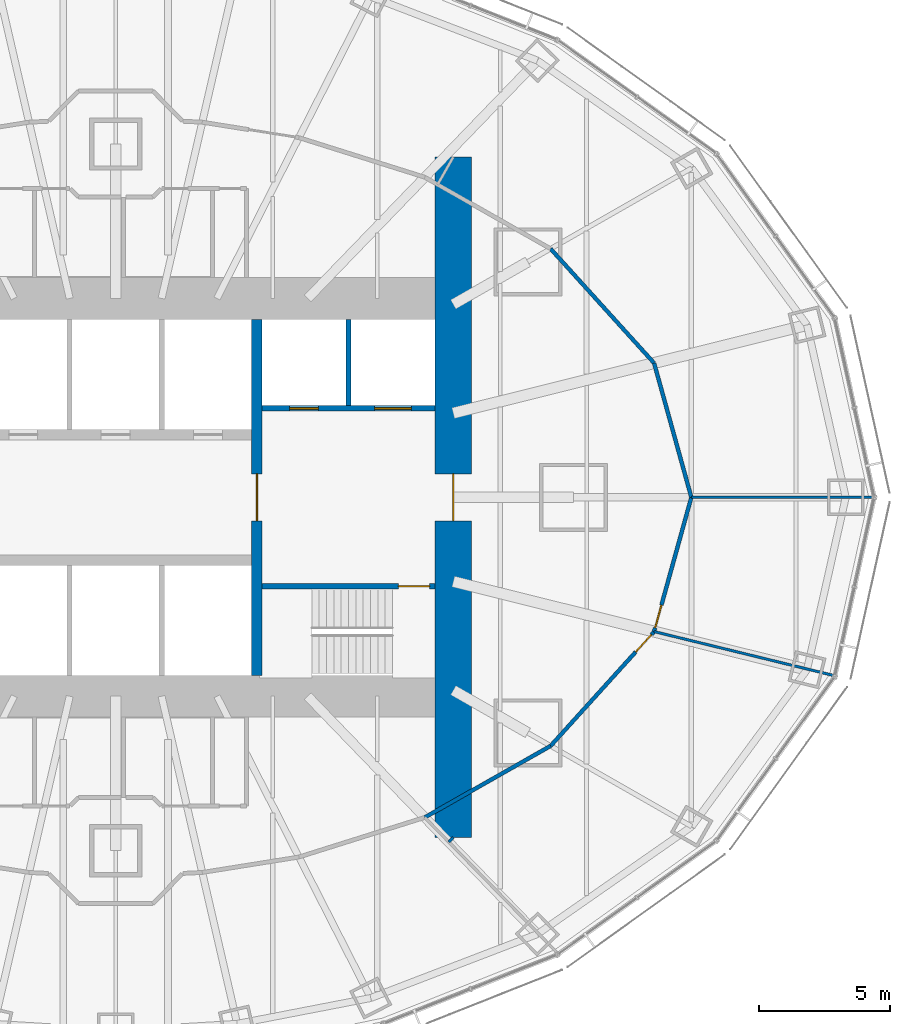
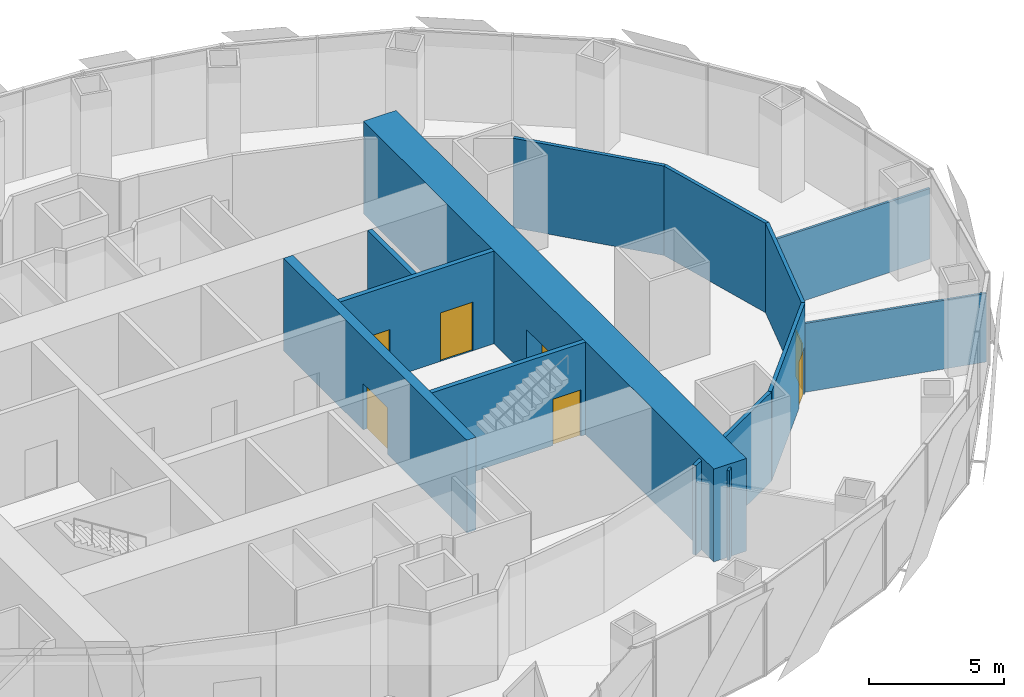
# One storey, part 12 of 17: 13 walls, 7 doors, 7 openings.
"""IFC4 building model written with IfcOpenShell, lengths in metres."""

import ifcopenshell
import ifcopenshell.guid

model = None  # the IFC model being written
_history = None  # IfcOwnerHistory: only IFC2X3 demands one
_inside = {}  # id of a spatial element -> (the spatial element, [elements in it])
_under = {}  # id of a project, library or spatial element -> (it, [spatial elements below it])
_declared = {}  # id of a project -> (the project, [libraries it declares])
_typed = {}  # id of a type object -> (the type object, [elements of that type])
_made_of = {}  # id of a material, layer set ... -> (it, [elements and type objects made of it])


def new_model(schema):
    """Start an empty IFC model of exactly this schema.

    Asked for "IFC4X3", IfcOpenShell would pick the latest addendum, in which some entities
    have other attributes; the version numbers below select the first issue.
    IFC2X3 requires an IfcOwnerHistory on every rooted entity: one is made here for all.
    """
    global model, _history
    if schema == "IFC4X3":
        model = ifcopenshell.file(schema_version=(4, 3, 0, 0))
    else:
        model = ifcopenshell.file(schema=schema)
    _inside.clear()
    _under.clear()
    _declared.clear()
    _typed.clear()
    _made_of.clear()
    _history = None
    if model.schema == "IFC2X3":
        org = make("IfcOrganization", Name="unknown")
        user = make(
            "IfcPersonAndOrganization",
            ThePerson=make("IfcPerson", FamilyName="unknown"),
            TheOrganization=org,
        )
        app = make(
            "IfcApplication",
            ApplicationDeveloper=org,
            Version="unknown",
            ApplicationFullName="unknown",
            ApplicationIdentifier="unknown",
        )
        _history = make(
            "IfcOwnerHistory",
            OwningUser=user,
            OwningApplication=app,
            ChangeAction="ADDED",
            CreationDate=0,
        )
    return model


def make(cls, **values):
    """One entity of the class cls with the attributes given. An attribute that is None is left unset."""
    return model.create_entity(
        cls, **{name: value for name, value in values.items() if value is not None}
    )


def rooted(cls, **values):
    """An entity with a GlobalId (a new one), such as an element, a storey or a relation."""
    return make(cls, GlobalId=ifcopenshell.guid.new(), OwnerHistory=_history, **values)


def si_unit(unit_type, name, prefix=None):
    """IfcSIUnit, for example si_unit("LENGTHUNIT", "METRE", prefix="MILLI")."""
    return make("IfcSIUnit", UnitType=unit_type, Prefix=prefix, Name=name)


def assignment(units):
    """IfcUnitAssignment: the units of a project."""
    return None if units is None else make("IfcUnitAssignment", Units=units)


def point(xyz):
    """IfcCartesianPoint."""
    return None if xyz is None else make("IfcCartesianPoint", Coordinates=xyz)


def direction(xyz):
    """IfcDirection."""
    return None if xyz is None else make("IfcDirection", DirectionRatios=xyz)


def frame(location, z_axis=None, x_axis=None):
    """IfcAxis2Placement3D, a coordinate frame: its origin and axes. An axis left out is left unset."""
    return make(
        "IfcAxis2Placement3D",
        Location=point(location),
        Axis=direction(z_axis),
        RefDirection=direction(x_axis),
    )


def frame_2d(location, x_axis=None):
    """IfcAxis2Placement2D, a coordinate frame in the plane: its origin and x axis."""
    return make(
        "IfcAxis2Placement2D", Location=point(location), RefDirection=direction(x_axis)
    )


def origin():
    """The frame at (0, 0, 0) with its axes left unset."""
    return frame((0.0, 0.0, 0.0))


def place(relative_to, where):
    """IfcLocalPlacement: puts the frame where relative to a parent placement (None: the world)."""
    return make(
        "IfcLocalPlacement", PlacementRelTo=relative_to, RelativePlacement=where
    )


def context(
    kind, dimensions, precision=None, world=None, true_north=None, identifier=None
):
    """IfcGeometricRepresentationContext, for example the 3D "Model" context."""
    return make(
        "IfcGeometricRepresentationContext",
        ContextIdentifier=identifier,
        ContextType=kind,
        CoordinateSpaceDimension=dimensions,
        Precision=precision,
        WorldCoordinateSystem=world,
        TrueNorth=true_north,
    )


def subcontext(parent, identifier, kind, view, scale=None):
    """IfcGeometricRepresentationSubContext, for example "Body" below "Model"."""
    return make(
        "IfcGeometricRepresentationSubContext",
        ContextIdentifier=identifier,
        ContextType=kind,
        ParentContext=parent,
        TargetScale=scale,
        TargetView=view,
    )


def project(units=None, contexts=None):
    """IfcProject with its units and contexts."""
    return rooted(
        "IfcProject",
        Name="project",
        RepresentationContexts=contexts,
        UnitsInContext=assignment(units),
    )


def spatial(cls, under=None, at=None, **own):
    """A site, building, storey or space (cls), placed at a placement, below another one or the project."""
    s = rooted(cls, ObjectPlacement=at, **own)
    if under is not None:
        _under.setdefault(under.id(), (under, []))[1].append(s)
    return s


def profile(cls, at=None, kind="AREA", **sizes):
    """A parametric profile (cls). Its sizes go by their IFC names, for example OverallWidth=200.0."""
    return make(cls, ProfileType=kind, Position=at, **sizes)


def rectangle(**sizes):
    """IfcRectangleProfileDef."""
    return profile("IfcRectangleProfileDef", **sizes)


def extrude(swept, where, along, depth):
    """IfcExtrudedAreaSolid: the profile swept, set in the frame where, extruded along a direction by depth."""
    return make(
        "IfcExtrudedAreaSolid",
        SweptArea=swept,
        Position=where,
        ExtrudedDirection=direction(along),
        Depth=depth,
    )


def shape(context_of_items, identifier, shape_type, items):
    """IfcShapeRepresentation: the items that make up one representation, for example the "Body"."""
    return make(
        "IfcShapeRepresentation",
        ContextOfItems=context_of_items,
        RepresentationIdentifier=identifier,
        RepresentationType=shape_type,
        Items=items,
    )


def material(Name=None, Category=None):
    """IfcMaterial."""
    return make("IfcMaterial", Name=Name, Category=Category)


def layer(
    of_material, thickness, ventilated=None, Name=None, Category=None, Priority=None
):
    """IfcMaterialLayer: one layer of a wall or slab, of a material (None: an air gap)."""
    return make(
        "IfcMaterialLayer",
        Material=of_material,
        LayerThickness=thickness,
        IsVentilated=ventilated,
        Name=Name,
        Category=Category,
        Priority=Priority,
    )


def layer_set(layers, Name=None):
    """IfcMaterialLayerSet."""
    return make("IfcMaterialLayerSet", MaterialLayers=layers, LayerSetName=Name)


def made_of(thing, what):
    """Note that an element or type object is made of a material, layer set ...; save() writes the relation."""
    if what is not None:
        _made_of.setdefault(what.id(), (what, []))[1].append(thing)
    return thing


def type_object(cls, material=None, **own):
    """A type object (cls), such as IfcWallType, which elements share."""
    return made_of(rooted(cls, **own), material)


def element(
    cls,
    number,
    at=None,
    inside=None,
    cuts=None,
    type_object=None,
    material=None,
    context=None,
    identifier="Body",
    shape_type=None,
    held_by="IfcProductDefinitionShape",
    body=None,
    shapes=None,
    **own,
):
    """One element of the class cls, such as IfcWall. Its Tag is "e" and its number.

    at: its placement. inside: the storey or other place that contains it. cuts: it is an
    opening in that element (IfcRelVoidsElement). A single representation is given by context,
    identifier, shape_type and body (its items); several are given by shapes. held_by: the class
    of the entity that holds the representations. save() writes the other relations.
    """
    e = rooted(cls, Tag="e%d" % number, ObjectPlacement=at, **own)
    if body is not None:
        shapes = [shape(context, identifier, shape_type, body)]
    if shapes is not None:
        e.Representation = make(held_by, Representations=shapes)
    if inside is not None:
        _inside.setdefault(inside.id(), (inside, []))[1].append(e)
    if cuts is not None:
        rooted(
            "IfcRelVoidsElement", RelatingBuildingElement=cuts, RelatedOpeningElement=e
        )
    if type_object is not None:
        _typed.setdefault(type_object.id(), (type_object, []))[1].append(e)
    return made_of(e, material)


def fill(opening, filler):
    """IfcRelFillsElement: the door or window that sits in an opening."""
    return rooted(
        "IfcRelFillsElement",
        RelatingOpeningElement=opening,
        RelatedBuildingElement=filler,
    )


def aggregate(whole, parts):
    """IfcRelAggregates: a whole, such as a stair, and the parts it consists of."""
    return rooted("IfcRelAggregates", RelatingObject=whole, RelatedObjects=parts)


def save(model, path):
    """Write the relations noted so far, then the file.

    IfcRelAggregates (storeys below a building ...), IfcRelContainedInSpatialStructure (elements
    in a storey), IfcRelDefinesByType, IfcRelAssociatesMaterial and IfcRelDeclares: one each for
    every whole, place, type object, material and project.
    """
    for whole, parts in _under.values():
        aggregate(whole, parts)
    for where, things in _inside.values():
        rooted(
            "IfcRelContainedInSpatialStructure",
            RelatedElements=things,
            RelatingStructure=where,
        )
    for kind, things in _typed.values():
        rooted("IfcRelDefinesByType", RelatedObjects=things, RelatingType=kind)
    for what, things in _made_of.values():
        rooted("IfcRelAssociatesMaterial", RelatedObjects=things, RelatingMaterial=what)
    for by, libraries in _declared.values():
        rooted("IfcRelDeclares", RelatingContext=by, RelatedDefinitions=libraries)
    model.write(path)


model = new_model("IFC4")

# Units and contexts
model_context = context("Model", 3, precision=1e-05, world=origin(), true_north=direction((0.0, 1.0)))
body_context = subcontext(model_context, "Body", "Model", "MODEL_VIEW")
ifc_project = project(units=[si_unit("LENGTHUNIT", "METRE"), si_unit("AREAUNIT", "SQUARE_METRE"), si_unit("VOLUMEUNIT", "CUBIC_METRE"), si_unit("PLANEANGLEUNIT", "RADIAN"), si_unit("MASSUNIT", "GRAM", prefix="KILO")], contexts=[model_context])

# Site, building, storey
site_placement = place(None, origin())
site = spatial("IfcSite", under=ifc_project, at=site_placement, CompositionType="ELEMENT")
building_placement = place(site_placement, origin())
building = spatial("IfcBuilding", under=site, at=building_placement, Name="Lantaw Convention Tower", CompositionType="ELEMENT")
storey_placement = place(building_placement, frame((0.0, 0.0, 125.800048828125)))
storey = spatial("IfcBuildingStorey", under=building, at=storey_placement, Name="L29", CompositionType="ELEMENT", Elevation=125.800048828125)

# Wall, opening, door
ifc_material_1 = material(Name="Concrete C60/75", Category="concrete")
ifc_layer_1 = layer(ifc_material_1, 1.39990234375)
ifc_layer_set_1 = layer_set([ifc_layer_1], Name="Core wall 1400")
wall_type_1 = type_object("IfcWallType", Name="Core wall 1400", PredefinedType="SHEAR", material=ifc_layer_set_1)
wall_1_placement = place(storey_placement, frame((12.89990234375, -13.0, 0.0), z_axis=(0.0, 0.0, 1.0), x_axis=(0.0, 1.0, 0.0)))
wall_1 = element("IfcWall", 1, at=wall_1_placement, inside=storey, type_object=wall_type_1, Name="Core wall E", PredefinedType="SHEAR", context=body_context, shape_type="SweptSolid", body=[
    extrude(rectangle(XDim=26.0, YDim=1.39990234375, at=frame_2d((13.0, 0.0))), origin(), (0.0, 0.0, 1.0), 4.199951171875),
])
opening_1_placement = place(wall_1_placement, frame((12.10009765625, 0.0, 0.0)))
opening_1 = element("IfcOpeningElement", 2, at=opening_1_placement, cuts=wall_1, Name="Opening L29.05", PredefinedType="OPENING", context=body_context, shape_type="SweptSolid", body=[
    extrude(rectangle(XDim=1.800048828125, YDim=2.10009765625, at=frame_2d((0.89990234375, 1.050048828125))), frame((0.0, 0.7099609375, 0.0), z_axis=(0.0, -1.0, 0.0), x_axis=(1.0, 0.0, 0.0)), (0.0, 0.0, 1.0), 1.419921875),
])
ifc_material_2 = material(Name="Steel, fire rated", Category="steel")
door_type_1 = type_object("IfcDoorType", Name="Lobby double door FD90", OperationType="DOUBLE_DOOR_DOUBLE_SWING", PredefinedType="DOOR", material=ifc_material_2)
door_1_placement = place(opening_1_placement, origin())
door_1 = element("IfcDoor", 3, at=door_1_placement, inside=storey, type_object=door_type_1, Name="Firefighting lobby door", OperationType="DOUBLE_DOOR_DOUBLE_SWING", OverallHeight=2.10009765625, OverallWidth=1.800048828125, PredefinedType="DOOR", context=body_context, shape_type="SweptSolid", body=[
    extrude(rectangle(XDim=1.800048828125, YDim=2.10009765625, at=frame_2d((0.89990234375, 1.050048828125))), frame((0.0, 0.02490234375, 0.0), z_axis=(0.0, -1.0, 0.0), x_axis=(1.0, 0.0, 0.0)), (0.0, 0.0, 1.0), 0.050048828125),
])
fill(opening_1, door_1)

ifc_layer_2 = layer(ifc_material_1, 0.199951171875)
ifc_layer_set_2 = layer_set([ifc_layer_2], Name="Core wall 200")
wall_type_2 = type_object("IfcWallType", Name="Core wall 200", PredefinedType="SHEAR", material=ifc_layer_set_2)
wall_2_placement = place(storey_placement, frame((5.60009765625, -3.39990234375, 0.0), z_axis=(0.0, 0.0, 1.0), x_axis=(1.0, 0.0, 0.0)))
wall_2 = element("IfcWall", 4, at=wall_2_placement, inside=storey, type_object=wall_type_2, Name="Core wall ES", PredefinedType="SHEAR", context=body_context, shape_type="SweptSolid", body=[
    extrude(rectangle(XDim=6.599853515625, YDim=0.199951171875, at=frame_2d((3.2998046875, 0.0))), origin(), (0.0, 0.0, 1.0), 4.199951171875),
])
opening_2_placement = place(wall_2_placement, frame((5.199951171875, 0.0, 0.0)))
opening_2 = element("IfcOpeningElement", 5, at=opening_2_placement, cuts=wall_2, Name="Opening L29.03", PredefinedType="OPENING", context=body_context, shape_type="SweptSolid", body=[
    extrude(rectangle(XDim=1.199951171875, YDim=2.10009765625, at=frame_2d((0.60009765625, 1.050048828125))), frame((0.0, 0.10986328125, 0.0), z_axis=(0.0, -1.0, 0.0), x_axis=(1.0, 0.0, 0.0)), (0.0, 0.0, 1.0), 0.219970703125),
])
door_type_2 = type_object("IfcDoorType", Name="Stair door FD90", OperationType="SINGLE_SWING_RIGHT", PredefinedType="DOOR", material=ifc_material_2)
door_2_placement = place(opening_2_placement, origin())
door_2 = element("IfcDoor", 6, at=door_2_placement, inside=storey, type_object=door_type_2, Name="Exit stair door", OperationType="SINGLE_SWING_RIGHT", OverallHeight=2.10009765625, OverallWidth=1.199951171875, PredefinedType="DOOR", context=body_context, shape_type="SweptSolid", body=[
    extrude(rectangle(XDim=1.199951171875, YDim=2.10009765625, at=frame_2d((0.60009765625, 1.050048828125))), frame((0.0, 0.02490234375, 0.0), z_axis=(0.0, -1.0, 0.0), x_axis=(1.0, 0.0, 0.0)), (0.0, 0.0, 1.0), 0.050048828125),
])
fill(opening_2, door_2)

ifc_layer_3 = layer(ifc_material_1, 0.39990234375)
ifc_layer_set_3 = layer_set([ifc_layer_3], Name="Core wall 400")
wall_type_3 = type_object("IfcWallType", Name="Core wall 400", PredefinedType="SHEAR", material=ifc_layer_set_3)
wall_3_placement = place(storey_placement, frame((5.39990234375, -6.800048828125, 0.0), z_axis=(0.0, 0.0, 1.0), x_axis=(0.0, 1.0, 0.0)))
wall_3 = element("IfcWall", 7, at=wall_3_placement, inside=storey, type_object=wall_type_3, Name="Core wall XE", PredefinedType="SHEAR", context=body_context, shape_type="SweptSolid", body=[
    extrude(rectangle(XDim=13.60009765625, YDim=0.39990234375, at=frame_2d((6.800048828125, 0.0))), origin(), (0.0, 0.0, 1.0), 4.199951171875),
])
opening_3_placement = place(wall_3_placement, frame((5.89990234375, 0.0, 0.0)))
opening_3 = element("IfcOpeningElement", 8, at=opening_3_placement, cuts=wall_3, Name="Opening L29.01", PredefinedType="OPENING", context=body_context, shape_type="SweptSolid", body=[
    extrude(rectangle(XDim=1.800048828125, YDim=2.10009765625, at=frame_2d((0.89990234375, 1.050048828125))), frame((0.0, 0.2099609375, 0.0), z_axis=(0.0, -1.0, 0.0), x_axis=(1.0, 0.0, 0.0)), (0.0, 0.0, 1.0), 0.419921875),
])
door_3_placement = place(opening_3_placement, origin())
door_3 = element("IfcDoor", 9, at=door_3_placement, inside=storey, type_object=door_type_1, Name="Lift lobby door", OperationType="DOUBLE_DOOR_DOUBLE_SWING", OverallHeight=2.10009765625, OverallWidth=1.800048828125, PredefinedType="DOOR", context=body_context, shape_type="SweptSolid", body=[
    extrude(rectangle(XDim=1.800048828125, YDim=2.10009765625, at=frame_2d((0.89990234375, 1.050048828125))), frame((0.0, 0.02490234375, 0.0), z_axis=(0.0, -1.0, 0.0), x_axis=(1.0, 0.0, 0.0)), (0.0, 0.0, 1.0), 0.050048828125),
])
fill(opening_3, door_3)

# Walls
ifc_material_3 = material(Name="Gypsum board on steel studs, fire rated", Category="steel")
ifc_layer_4 = layer(ifc_material_3, 0.14990234375)
ifc_layer_set_4 = layer_set([ifc_layer_4], Name="Corridor wall 150 EI 60")
wall_type_4 = type_object("IfcWallType", Name="Corridor wall 150 EI 60", PredefinedType="PARTITIONING", material=ifc_layer_set_4)
wall_4_placement = place(storey_placement, frame((22.0, 0.0, 0.0), z_axis=(0.0, 0.0, 1.0), x_axis=(-0.267293817428, 0.963615076244, 0.0)))
element("IfcWall", 10, at=wall_4_placement, inside=storey, type_object=wall_type_4, Name="Corridor wall 150", PredefinedType="PARTITIONING", context=body_context, shape_type="SweptSolid", body=[
    extrude(rectangle(XDim=5.323974609375, YDim=0.14990234375, at=frame_2d((2.662109375, 0.0))), origin(), (0.0, 0.0, 1.0), 4.050048828125),
])
wall_5_placement = place(storey_placement, frame((20.576904296875, 5.13037109375, 0.0), z_axis=(0.0, 0.0, 1.0), x_axis=(-0.671118353743, 0.741350224435, 0.0)))
element("IfcWall", 11, at=wall_5_placement, inside=storey, type_object=wall_type_4, Name="Corridor wall 150", PredefinedType="PARTITIONING", context=body_context, shape_type="SweptSolid", body=[
    extrude(rectangle(XDim=5.89208984375, YDim=0.14990234375, at=frame_2d((2.946044921875, 0.0))), origin(), (0.0, 0.0, 1.0), 4.050048828125),
])
wall_6_placement = place(storey_placement, frame((11.812744140625, -12.232421875, 0.0), z_axis=(0.0, 0.0, 1.0), x_axis=(0.869375991036, 0.494151177485, 0.0)))
element("IfcWall", 12, at=wall_6_placement, inside=storey, type_object=wall_type_4, Name="Corridor wall 150", PredefinedType="PARTITIONING", context=body_context, shape_type="SweptSolid", body=[
    extrude(rectangle(XDim=5.532470703125, YDim=0.14990234375, at=frame_2d((2.76611328125, 0.0))), origin(), (0.0, 0.0, 1.0), 4.050048828125),
])

# Wall, opening, door
wall_7_placement = place(storey_placement, frame((16.62255859375, -9.49853515625, 0.0), z_axis=(0.0, 0.0, 1.0), x_axis=(0.671118353743, 0.741350224435, 0.0)))
wall_7 = element("IfcWall", 13, at=wall_7_placement, inside=storey, type_object=wall_type_4, Name="Corridor wall 150", PredefinedType="PARTITIONING", context=body_context, shape_type="SweptSolid", body=[
    extrude(rectangle(XDim=5.89208984375, YDim=0.14990234375, at=frame_2d((2.946044921875, 0.0))), origin(), (0.0, 0.0, 1.0), 4.050048828125),
])
opening_4_placement = place(wall_7_placement, frame((4.84228515625, 0.0, 0.0)))
opening_4 = element("IfcOpeningElement", 14, at=opening_4_placement, cuts=wall_7, Name="Opening L29.28", PredefinedType="OPENING", context=body_context, shape_type="SweptSolid", body=[
    extrude(rectangle(XDim=0.89990234375, YDim=2.10009765625, at=frame_2d((0.449951171875, 1.050048828125))), frame((0.0, 0.0849609375, 0.0), z_axis=(0.0, -1.0, 0.0), x_axis=(1.0, 0.0, 0.0)), (0.0, 0.0, 1.0), 0.169921875),
])
door_type_3 = type_object("IfcDoorType", Name="Office door 900 FD30", OperationType="SINGLE_SWING_LEFT", PredefinedType="DOOR", material=ifc_material_2)
door_4_placement = place(opening_4_placement, origin())
door_4 = element("IfcDoor", 15, at=door_4_placement, inside=storey, type_object=door_type_3, Name="Training room door", OperationType="SINGLE_SWING_LEFT", OverallHeight=2.10009765625, OverallWidth=0.89990234375, PredefinedType="DOOR", context=body_context, shape_type="SweptSolid", body=[
    extrude(rectangle(XDim=0.89990234375, YDim=2.10009765625, at=frame_2d((0.449951171875, 1.050048828125))), frame((0.0, 0.02490234375, 0.0), z_axis=(0.0, -1.0, 0.0), x_axis=(1.0, 0.0, 0.0)), (0.0, 0.0, 1.0), 0.050048828125),
])
fill(opening_4, door_4)

wall_8_placement = place(storey_placement, frame((20.576904296875, -5.13037109375, 0.0), z_axis=(0.0, 0.0, 1.0), x_axis=(0.267293817428, 0.963615076244, 0.0)))
wall_8 = element("IfcWall", 16, at=wall_8_placement, inside=storey, type_object=wall_type_4, Name="Corridor wall 150", PredefinedType="PARTITIONING", context=body_context, shape_type="SweptSolid", body=[
    extrude(rectangle(XDim=5.323974609375, YDim=0.14990234375, at=frame_2d((2.662109375, 0.0))), origin(), (0.0, 0.0, 1.0), 4.050048828125),
])
opening_5_placement = place(wall_8_placement, frame((0.14990234375, 0.0, 0.0)))
opening_5 = element("IfcOpeningElement", 17, at=opening_5_placement, cuts=wall_8, Name="Opening L29.29", PredefinedType="OPENING", context=body_context, shape_type="SweptSolid", body=[
    extrude(rectangle(XDim=0.89990234375, YDim=2.10009765625, at=frame_2d((0.449951171875, 1.050048828125))), frame((0.0, 0.0849609375, 0.0), z_axis=(0.0, -1.0, 0.0), x_axis=(1.0, 0.0, 0.0)), (0.0, 0.0, 1.0), 0.169921875),
])
door_5_placement = place(opening_5_placement, origin())
door_5 = element("IfcDoor", 18, at=door_5_placement, inside=storey, type_object=door_type_3, Name="Nap room door", OperationType="SINGLE_SWING_LEFT", OverallHeight=2.10009765625, OverallWidth=0.89990234375, PredefinedType="DOOR", context=body_context, shape_type="SweptSolid", body=[
    extrude(rectangle(XDim=0.89990234375, YDim=2.10009765625, at=frame_2d((0.449951171875, 1.050048828125))), frame((0.0, 0.02490234375, 0.0), z_axis=(0.0, -1.0, 0.0), x_axis=(1.0, 0.0, 0.0)), (0.0, 0.0, 1.0), 0.050048828125),
])
fill(opening_5, door_5)

# Walls
ifc_material_4 = material(Name="Gypsum board on steel studs, acoustic", Category="steel")
ifc_layer_5 = layer(ifc_material_4, 0.10009765625)
ifc_layer_set_5 = layer_set([ifc_layer_5], Name="Office partition 100")
wall_type_5 = type_object("IfcWallType", Name="Office partition 100", PredefinedType="PARTITIONING", material=ifc_layer_set_5)
wall_9_placement = place(storey_placement, frame((28.944091796875, 0.0, 0.0), z_axis=(0.0, 0.0, 1.0), x_axis=(-1.0, 0.0, 0.0)))
element("IfcWall", 19, at=wall_9_placement, inside=storey, type_object=wall_type_5, Name="Office partition 100", PredefinedType="PARTITIONING", context=body_context, shape_type="SweptSolid", body=[
    extrude(rectangle(XDim=6.944091796875, YDim=0.10009765625, at=frame_2d((3.47216796875, 0.0))), origin(), (0.0, 0.0, 1.0), 3.2041015625),
])
wall_10_placement = place(storey_placement, frame((27.440673828125, -6.808837890625, 0.0), z_axis=(0.0, 0.0, 1.0), x_axis=(-0.971377572955, 0.237540755996, 0.0)))
element("IfcWall", 20, at=wall_10_placement, inside=storey, type_object=wall_type_5, Name="Office partition 100", PredefinedType="PARTITIONING", context=body_context, shape_type="SweptSolid", body=[
    extrude(rectangle(XDim=7.06591796875, YDim=0.10009765625, at=frame_2d((3.532958984375, 0.0))), origin(), (0.0, 0.0, 1.0), 3.11279296875),
])
wall_11_placement = place(storey_placement, frame((12.89990234375, -13.0, 0.0), z_axis=(0.0, 0.0, 1.0), x_axis=(-0.714690391061, -0.699440951707, 0.0)))
element("IfcWall", 21, at=wall_11_placement, inside=storey, type_object=wall_type_5, Name="Office partition 100", PredefinedType="PARTITIONING", context=body_context, shape_type="SweptSolid", body=[
    extrude(rectangle(XDim=0.240234375, YDim=0.10009765625, at=frame_2d((0.1201171875, 0.0))), origin(), (0.0, 0.0, 1.0), 4.050048828125),
])

# Wall, openings, doors
ifc_material_5 = material(Name="Concrete blockwork, fire rated", Category="masonry")
ifc_layer_6 = layer(ifc_material_5, 0.199951171875)
ifc_layer_set_6 = layer_set([ifc_layer_6], Name="Shaft wall 200")
wall_type_6 = type_object("IfcWallType", Name="Shaft wall 200", PredefinedType="SOLIDWALL", material=ifc_layer_set_6)
wall_12_placement = place(storey_placement, frame((12.199951171875, 3.39990234375, 0.0), z_axis=(0.0, 0.0, 1.0), x_axis=(-1.0, 0.0, 0.0)))
wall_12 = element("IfcWall", 22, at=wall_12_placement, inside=storey, type_object=wall_type_6, Name="Shaft wall EN", PredefinedType="SOLIDWALL", context=body_context, shape_type="SweptSolid", body=[
    extrude(rectangle(XDim=6.599853515625, YDim=0.199951171875, at=frame_2d((3.2998046875, 0.0))), origin(), (0.0, 0.0, 1.0), 4.199951171875),
])
opening_6_placement = place(wall_12_placement, frame((4.449951171875, 0.0, 0.0)))
opening_6 = element("IfcOpeningElement", 23, at=opening_6_placement, cuts=wall_12, Name="Opening L29.12", PredefinedType="OPENING", context=body_context, shape_type="SweptSolid", body=[
    extrude(rectangle(XDim=1.10009765625, YDim=2.199951171875, at=frame_2d((0.550048828125, 1.10009765625))), frame((0.0, 0.10986328125, 0.0), z_axis=(0.0, -1.0, 0.0), x_axis=(1.0, 0.0, 0.0)), (0.0, 0.0, 1.0), 0.219970703125),
])
opening_7_placement = place(wall_12_placement, frame((0.89990234375, 0.0, 0.0)))
opening_7 = element("IfcOpeningElement", 24, at=opening_7_placement, cuts=wall_12, Name="Opening L29.13", PredefinedType="OPENING", context=body_context, shape_type="SweptSolid", body=[
    extrude(rectangle(XDim=1.39990234375, YDim=2.199951171875, at=frame_2d((0.699951171875, 1.10009765625))), frame((0.0, 0.10986328125, 0.0), z_axis=(0.0, -1.0, 0.0), x_axis=(1.0, 0.0, 0.0)), (0.0, 0.0, 1.0), 0.219970703125),
])
ifc_material_6 = material(Name="Stainless steel", Category="steel")
door_type_4 = type_object("IfcDoorType", Name="Lift landing door 1100", OperationType="DOUBLE_DOOR_SLIDING", PredefinedType="DOOR", material=ifc_material_6)
door_6_placement = place(opening_6_placement, origin())
door_6 = element("IfcDoor", 25, at=door_6_placement, inside=storey, type_object=door_type_4, Name="Lift landing door FF2", OperationType="DOUBLE_DOOR_SLIDING", OverallHeight=2.199951171875, OverallWidth=1.10009765625, PredefinedType="DOOR", context=body_context, shape_type="SweptSolid", body=[
    extrude(rectangle(XDim=1.10009765625, YDim=2.199951171875, at=frame_2d((0.550048828125, 1.10009765625))), frame((0.0, 0.02490234375, 0.0), z_axis=(0.0, -1.0, 0.0), x_axis=(1.0, 0.0, 0.0)), (0.0, 0.0, 1.0), 0.050048828125),
])
fill(opening_6, door_6)
door_type_5 = type_object("IfcDoorType", Name="Lift landing door 1400", OperationType="DOUBLE_DOOR_SLIDING", PredefinedType="DOOR", material=ifc_material_6)
door_7_placement = place(opening_7_placement, origin())
door_7 = element("IfcDoor", 26, at=door_7_placement, inside=storey, type_object=door_type_5, Name="Lift landing door SV2", OperationType="DOUBLE_DOOR_SLIDING", OverallHeight=2.199951171875, OverallWidth=1.39990234375, PredefinedType="DOOR", context=body_context, shape_type="SweptSolid", body=[
    extrude(rectangle(XDim=1.39990234375, YDim=2.199951171875, at=frame_2d((0.699951171875, 1.10009765625))), frame((0.0, 0.02490234375, 0.0), z_axis=(0.0, -1.0, 0.0), x_axis=(1.0, 0.0, 0.0)), (0.0, 0.0, 1.0), 0.050048828125),
])
fill(opening_7, door_7)

# Wall
wall_13_placement = place(storey_placement, frame((8.89990234375, 3.5, 0.0), z_axis=(0.0, 0.0, 1.0), x_axis=(0.0, 1.0, 0.0)))
element("IfcWall", 27, at=wall_13_placement, inside=storey, type_object=wall_type_6, Name="Shaft wall ED", PredefinedType="SOLIDWALL", context=body_context, shape_type="SweptSolid", body=[
    extrude(rectangle(XDim=3.300048828125, YDim=0.199951171875, at=frame_2d((1.64990234375, 0.0))), origin(), (0.0, 0.0, 1.0), 4.199951171875),
])

save(model, "model.ifc")
